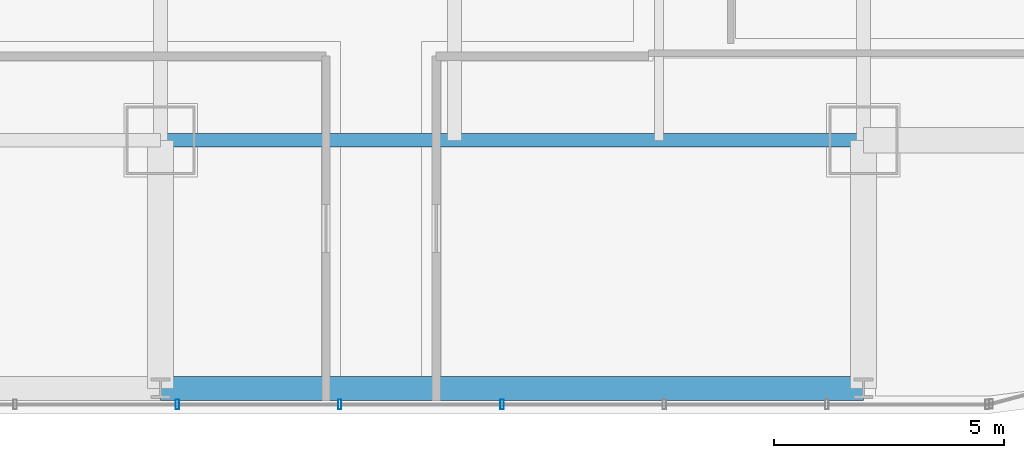
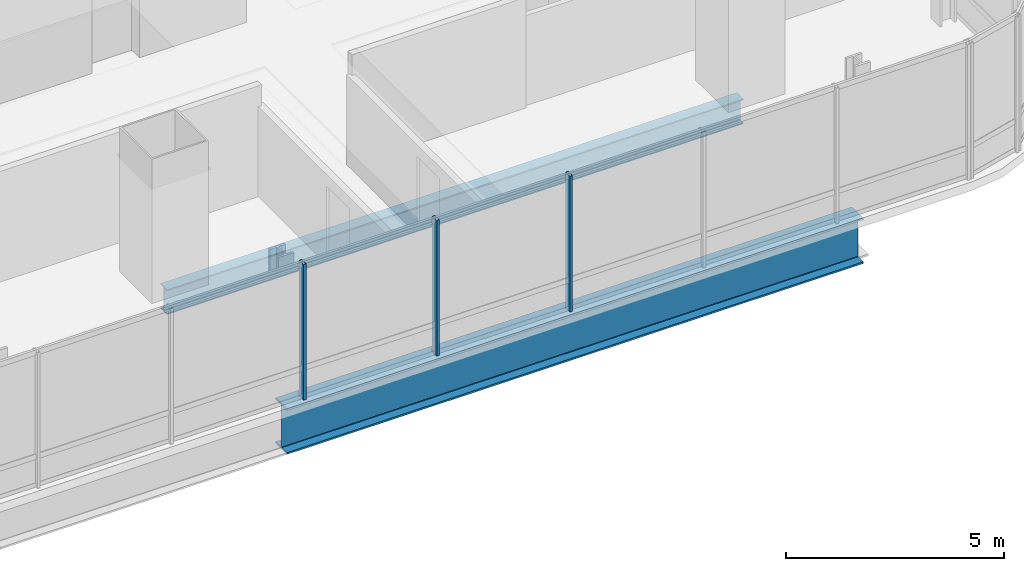
# One storey, part 6 of 34: 3 members, 2 beams, 1 element without a shape of its own.
"""IFC4 building model written with IfcOpenShell, lengths in metres."""

from ifc_helpers import new_model, si_unit, direction, frame, origin, origin_2d, place, context, subcontext, project, spatial, hollow_rectangle, i_section, extrude, material, material_profile, profile_set, type_object, element, aggregate, save


model = new_model("IFC4")

# Units and contexts
model_context = context("Model", 3, precision=1e-05, world=origin(), true_north=direction((0.0, 1.0)))
body_context = subcontext(model_context, "Body", "Model", "MODEL_VIEW")
ifc_project = project(units=[si_unit("LENGTHUNIT", "METRE"), si_unit("AREAUNIT", "SQUARE_METRE"), si_unit("VOLUMEUNIT", "CUBIC_METRE"), si_unit("PLANEANGLEUNIT", "RADIAN"), si_unit("MASSUNIT", "GRAM", prefix="KILO")], contexts=[model_context])

# Site, building, storey
site_placement = place(None, origin())
site = spatial("IfcSite", under=ifc_project, at=site_placement, CompositionType="ELEMENT")
building_placement = place(site_placement, origin())
building = spatial("IfcBuilding", under=site, at=building_placement, Name="Punatoya Terracotta Tower", CompositionType="ELEMENT")
storey_placement = place(building_placement, frame((0.0, 0.0, 84.89990234375)))
storey = spatial("IfcBuildingStorey", under=building, at=storey_placement, Name="L19", CompositionType="ELEMENT", Elevation=84.89990234375)

# Beams
ifc_material_1 = material(Name="Steel S355", Category="steel")
ifc_material_profile_1 = material_profile(ifc_material_1, i_section(OverallWidth=0.300048828125, OverallDepth=0.699951171875, WebThickness=0.01708984375, FlangeThickness=0.031982421875, FilletRadius=0.01806640625, at=origin_2d()))
ifc_profile_set_1 = profile_set([ifc_material_profile_1], Name="Steel S355")
beam_type_1 = type_object("IfcBeamType", Name="BM-PRI-700", PredefinedType="BEAM", material=ifc_profile_set_1)
beam_1_placement = place(storey_placement, frame((3.800048828125, -17.5, -0.58984375), z_axis=(1.0, 0.0, 0.0), x_axis=(0.0, 1.0, 0.0)))
element("IfcBeam", 1, at=beam_1_placement, inside=storey, type_object=beam_type_1, Name="BM-L19-RG-S3", PredefinedType="BEAM", context=body_context, shape_type="SweptSolid", body=[
    extrude(i_section(OverallWidth=0.300048828125, OverallDepth=0.699951171875, WebThickness=0.01708984375, FlangeThickness=0.031982421875, FilletRadius=0.01806640625, at=origin_2d()), origin(), (0.0, 0.0, 1.0), 15.300048828125),
])
ifc_material_2 = material(Name="Steel S460", Category="steel")
ifc_material_profile_2 = material_profile(ifc_material_2, i_section(OverallWidth=0.52001953125, OverallDepth=1.280029296875, WebThickness=0.031982421875, FlangeThickness=0.050048828125, FilletRadius=0.01806640625, at=origin_2d()))
ifc_profile_set_2 = profile_set([ifc_material_profile_2], Name="Steel S460")
beam_type_2 = type_object("IfcBeamType", Name="BM-TG-NCK", PredefinedType="BEAM", material=ifc_profile_set_2)
beam_2_placement = place(storey_placement, frame((3.800048828125, -22.89990234375, -0.8798828125), z_axis=(1.0, 0.0, 0.0), x_axis=(0.0, 1.0, 0.0)))
element("IfcBeam", 2, at=beam_2_placement, inside=storey, type_object=beam_type_2, Name="BM-L19-PER-S3", PredefinedType="BEAM", context=body_context, shape_type="SweptSolid", body=[
    extrude(i_section(OverallWidth=0.52001953125, OverallDepth=1.280029296875, WebThickness=0.031982421875, FlangeThickness=0.050048828125, FilletRadius=0.01806640625, at=origin_2d()), origin(), (0.0, 0.0, 1.0), 15.300048828125),
])

# Curtain wall, members
ifc_material_3 = material(Name="Aluminium 6063-T6 + Double Low-E Glass", Category="aluminium")
curtain_wall_type = type_object("IfcCurtainWallType", Name="CW-M1", PredefinedType="NOTDEFINED", material=ifc_material_3)
curtain_wall_placement = place(storey_placement, origin())
curtain_wall = element("IfcCurtainWall", 3, at=curtain_wall_placement, inside=storey, type_object=curtain_wall_type, Name="L19 Curtain Wall CW-L19-S01-1", PredefinedType="NOTDEFINED")
ifc_material_4 = material(Name="Aluminium 6063-T6", Category="aluminium")
ifc_material_profile_3 = material_profile(ifc_material_4, hollow_rectangle(XDim=0.074951171875, YDim=0.2099609375, WallThickness=0.00439453125, at=origin_2d()))
ifc_profile_set_3 = profile_set([ifc_material_profile_3], Name="Aluminium 6063-T6")
member_type = type_object("IfcMemberType", Name="CW-MUL-M1", PredefinedType="MULLION", material=ifc_profile_set_3)
member_1_placement = place(storey_placement, frame((4.1669921875, -23.25, 0.0), z_axis=(0.0, 0.0, 1.0), x_axis=(1.0, 0.0, 0.0)))
member_1 = element("IfcMember", 4, at=member_1_placement, type_object=member_type, Name="CW-L19-S01-1 Mullion 06", PredefinedType="MULLION", context=body_context, shape_type="SweptSolid", body=[
    extrude(hollow_rectangle(XDim=0.074951171875, YDim=0.2099609375, WallThickness=0.00439453125, at=origin_2d()), origin(), (0.0, 0.0, 1.0), 3.81005859375),
])
member_2_placement = place(storey_placement, frame((7.700927734375, -23.25, 0.0), z_axis=(0.0, 0.0, 1.0), x_axis=(1.0, 0.0, 0.0)))
member_2 = element("IfcMember", 5, at=member_2_placement, type_object=member_type, Name="CW-L19-S01-1 Mullion 07", PredefinedType="MULLION", context=body_context, shape_type="SweptSolid", body=[
    extrude(hollow_rectangle(XDim=0.074951171875, YDim=0.2099609375, WallThickness=0.00439453125, at=origin_2d()), origin(), (0.0, 0.0, 1.0), 3.81005859375),
])
member_3_placement = place(storey_placement, frame((11.235107421875, -23.25, 0.0), z_axis=(0.0, 0.0, 1.0), x_axis=(1.0, 0.0, 0.0)))
member_3 = element("IfcMember", 6, at=member_3_placement, type_object=member_type, Name="CW-L19-S01-1 Mullion 08", PredefinedType="MULLION", context=body_context, shape_type="SweptSolid", body=[
    extrude(hollow_rectangle(XDim=0.074951171875, YDim=0.2099609375, WallThickness=0.00439453125, at=origin_2d()), origin(), (0.0, 0.0, 1.0), 3.81005859375),
])
aggregate(curtain_wall, [member_1, member_2, member_3])

save(model, "model.ifc")
